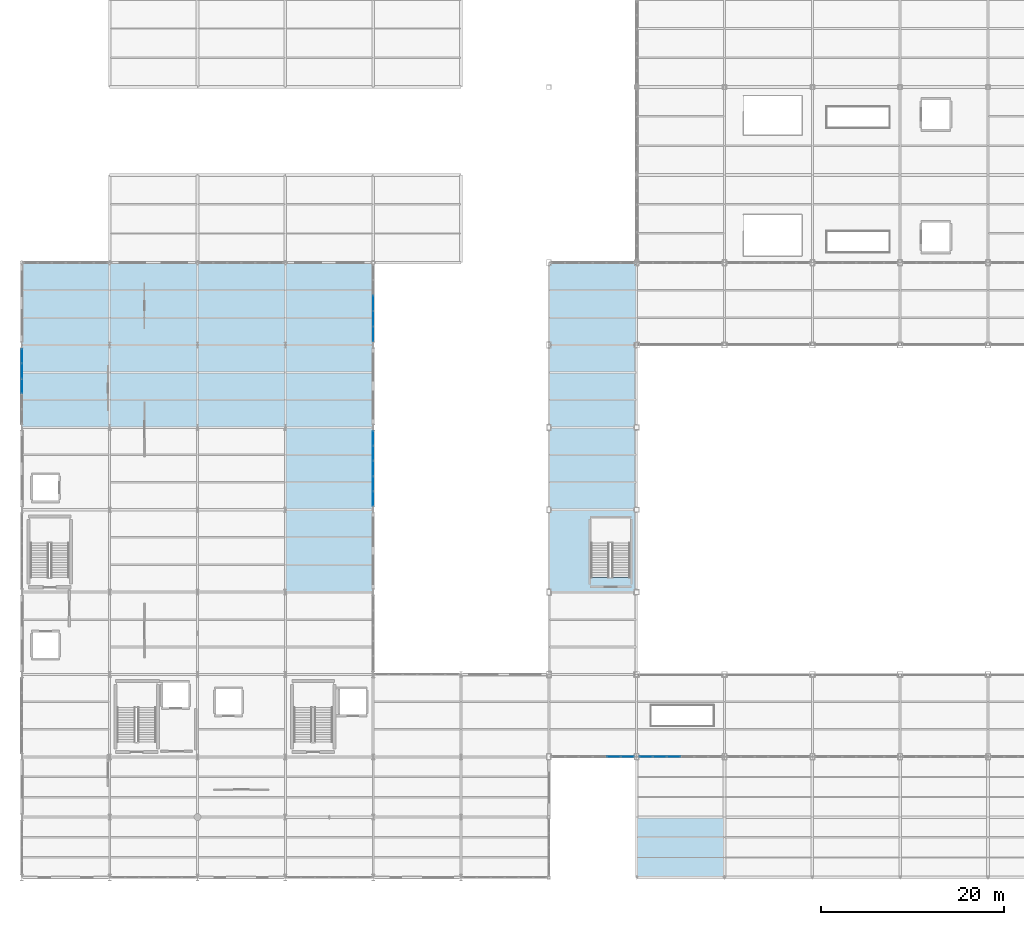
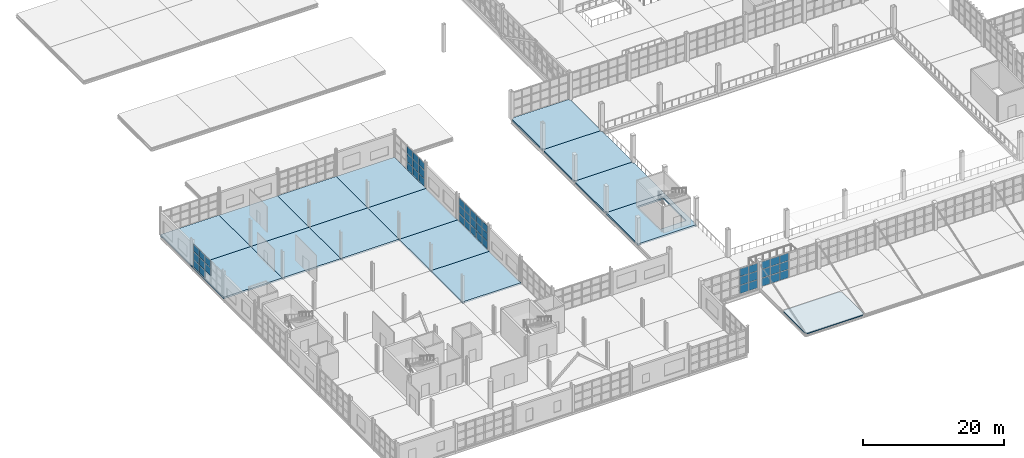
# One storey, part 76 of 120: 47 plates, 15 slabs, 5 elements without a shape of their own.
"""IFC4 building model written with IfcOpenShell, lengths in metres."""

from ifc_helpers import new_model, si_unit, direction, frame, origin, origin_2d, place, context, subcontext, project, spatial, polyline, rectangle, outline, extrude, material, layer, layer_set, type_object, element, aggregate, save


model = new_model("IFC4")

# Units and contexts
model_context = context("Model", 3, precision=1e-05, world=origin(), true_north=direction((0.0, 1.0)))
body_context = subcontext(model_context, "Body", "Model", "MODEL_VIEW")
ifc_project = project(units=[si_unit("LENGTHUNIT", "METRE"), si_unit("AREAUNIT", "SQUARE_METRE"), si_unit("VOLUMEUNIT", "CUBIC_METRE"), si_unit("PLANEANGLEUNIT", "RADIAN"), si_unit("MASSUNIT", "GRAM", prefix="KILO")], contexts=[model_context])

# Site, building, storey
site_placement = place(None, origin())
site = spatial("IfcSite", under=ifc_project, at=site_placement, CompositionType="ELEMENT")
building_placement = place(site_placement, origin())
building = spatial("IfcBuilding", under=site, at=building_placement, Name="Zarnetskaya Central Station", CompositionType="ELEMENT")
storey_placement = place(building_placement, frame((0.0, 0.0, 5.39990234375)))
storey = spatial("IfcBuildingStorey", under=building, at=storey_placement, Name="L01", CompositionType="ELEMENT", Elevation=5.39990234375)

# Curtain wall, plates
ifc_material_1 = material(Name="Low-E insulated glass", Category="glass")
ifc_layer_1 = layer(ifc_material_1, 0.172119140625, Name="Low-E insulated glass", Category="glass")
ifc_layer_set_1 = layer_set([ifc_layer_1], Name="Low-E insulated glass")
curtain_wall_type_1 = type_object("IfcCurtainWallType", Name="CW-SYS-09", PredefinedType="USERDEFINED", material=ifc_layer_set_1)
curtain_wall_1_placement = place(storey_placement, origin())
curtain_wall_1 = element("IfcCurtainWall", 1, at=curtain_wall_1_placement, inside=storey, type_object=curtain_wall_type_1, Name="Curtain wall CW-L01-076", ObjectType="CURTAIN WALL", PredefinedType="USERDEFINED")
ifc_layer_2 = layer(ifc_material_1, 0.031982421875, Name="Low-E insulated glass", Category="glass")
ifc_layer_set_2 = layer_set([ifc_layer_2], Name="Low-E insulated glass")
plate_type_1 = type_object("IfcPlateType", Name="CW-PAN-32", PredefinedType="CURTAIN_PANEL", material=ifc_layer_set_2)
plate_1_placement = place(storey_placement, frame((71.24169921875, 13.199951171875, 0.080078125), z_axis=(0.0, 0.0, 1.0), x_axis=(-1.0, 0.0, 0.0)))
plate_1 = element("IfcPlate", 2, at=plate_1_placement, type_object=plate_type_1, Name="CW-07 panel 4.1", PredefinedType="CURTAIN_PANEL", context=body_context, shape_type="SweptSolid", body=[
    extrude(rectangle(XDim=1.436767578125, YDim=0.031982421875, at=origin_2d()), origin(), (0.0, 0.0, 1.0), 1.39306640625),
])
plate_2_placement = place(storey_placement, frame((71.24169921875, 13.199951171875, 1.552978515625), z_axis=(0.0, 0.0, 1.0), x_axis=(-1.0, 0.0, 0.0)))
plate_2 = element("IfcPlate", 3, at=plate_2_placement, type_object=plate_type_1, Name="CW-07 panel 4.2", PredefinedType="CURTAIN_PANEL", context=body_context, shape_type="SweptSolid", body=[
    extrude(rectangle(XDim=1.436767578125, YDim=0.031982421875, at=origin_2d()), origin(), (0.0, 0.0, 1.0), 1.43310546875),
])
plate_3_placement = place(storey_placement, frame((71.24169921875, 13.199951171875, 3.06591796875), z_axis=(0.0, 0.0, 1.0), x_axis=(-1.0, 0.0, 0.0)))
plate_3 = element("IfcPlate", 4, at=plate_3_placement, type_object=plate_type_1, Name="CW-07 panel 4.3", PredefinedType="CURTAIN_PANEL", context=body_context, shape_type="SweptSolid", body=[
    extrude(rectangle(XDim=1.436767578125, YDim=0.031982421875, at=origin_2d()), origin(), (0.0, 0.0, 1.0), 1.303955078125),
])
plate_4_placement = place(storey_placement, frame((69.72509765625, 13.199951171875, 0.080078125), z_axis=(0.0, 0.0, 1.0), x_axis=(-1.0, 0.0, 0.0)))
plate_4 = element("IfcPlate", 5, at=plate_4_placement, type_object=plate_type_1, Name="CW-07 panel 5.1", PredefinedType="CURTAIN_PANEL", context=body_context, shape_type="SweptSolid", body=[
    extrude(rectangle(XDim=1.436767578125, YDim=0.031982421875, at=origin_2d()), origin(), (0.0, 0.0, 1.0), 1.39306640625),
])
plate_5_placement = place(storey_placement, frame((69.72509765625, 13.199951171875, 1.552978515625), z_axis=(0.0, 0.0, 1.0), x_axis=(-1.0, 0.0, 0.0)))
plate_5 = element("IfcPlate", 6, at=plate_5_placement, type_object=plate_type_1, Name="CW-07 panel 5.2", PredefinedType="CURTAIN_PANEL", context=body_context, shape_type="SweptSolid", body=[
    extrude(rectangle(XDim=1.436767578125, YDim=0.031982421875, at=origin_2d()), origin(), (0.0, 0.0, 1.0), 1.43310546875),
])
plate_6_placement = place(storey_placement, frame((69.72509765625, 13.199951171875, 3.06591796875), z_axis=(0.0, 0.0, 1.0), x_axis=(-1.0, 0.0, 0.0)))
plate_6 = element("IfcPlate", 7, at=plate_6_placement, type_object=plate_type_1, Name="CW-07 panel 5.3", PredefinedType="CURTAIN_PANEL", context=body_context, shape_type="SweptSolid", body=[
    extrude(rectangle(XDim=1.436767578125, YDim=0.031982421875, at=origin_2d()), origin(), (0.0, 0.0, 1.0), 1.303955078125),
])
plate_7_placement = place(storey_placement, frame((68.228271484375, 13.199951171875, 0.080078125), z_axis=(0.0, 0.0, 1.0), x_axis=(-1.0, 0.0, 0.0)))
plate_7 = element("IfcPlate", 8, at=plate_7_placement, type_object=plate_type_1, Name="CW-07 panel 6.1", PredefinedType="CURTAIN_PANEL", context=body_context, shape_type="SweptSolid", body=[
    extrude(rectangle(XDim=1.396728515625, YDim=0.031982421875, at=origin_2d()), origin(), (0.0, 0.0, 1.0), 1.39306640625),
])
plate_8_placement = place(storey_placement, frame((68.228271484375, 13.199951171875, 1.552978515625), z_axis=(0.0, 0.0, 1.0), x_axis=(-1.0, 0.0, 0.0)))
plate_8 = element("IfcPlate", 9, at=plate_8_placement, type_object=plate_type_1, Name="CW-07 panel 6.2", PredefinedType="CURTAIN_PANEL", context=body_context, shape_type="SweptSolid", body=[
    extrude(rectangle(XDim=1.396728515625, YDim=0.031982421875, at=origin_2d()), origin(), (0.0, 0.0, 1.0), 1.43310546875),
])
plate_9_placement = place(storey_placement, frame((68.228271484375, 13.199951171875, 3.06591796875), z_axis=(0.0, 0.0, 1.0), x_axis=(-1.0, 0.0, 0.0)))
plate_9 = element("IfcPlate", 10, at=plate_9_placement, type_object=plate_type_1, Name="CW-07 panel 6.3", PredefinedType="CURTAIN_PANEL", context=body_context, shape_type="SweptSolid", body=[
    extrude(rectangle(XDim=1.396728515625, YDim=0.031982421875, at=origin_2d()), origin(), (0.0, 0.0, 1.0), 1.303955078125),
])
aggregate(curtain_wall_1, [plate_1, plate_2, plate_3, plate_4, plate_5, plate_6, plate_7, plate_8, plate_9])

ifc_layer_3 = layer(ifc_material_1, 0.16796875, Name="Low-E insulated glass", Category="glass")
ifc_layer_set_3 = layer_set([ifc_layer_3], Name="Low-E insulated glass")
curtain_wall_type_2 = type_object("IfcCurtainWallType", Name="CW-SYS-03", PredefinedType="USERDEFINED", material=ifc_layer_set_3)
curtain_wall_2_placement = place(storey_placement, origin())
curtain_wall_2 = element("IfcCurtainWall", 11, at=curtain_wall_2_placement, inside=storey, type_object=curtain_wall_type_2, Name="Curtain wall CW-L01-007", ObjectType="CURTAIN WALL", PredefinedType="USERDEFINED")
ifc_layer_4 = layer(ifc_material_1, 0.035888671875, Name="Low-E insulated glass", Category="glass")
ifc_layer_set_4 = layer_set([ifc_layer_4], Name="Low-E insulated glass")
plate_type_2 = type_object("IfcPlateType", Name="CW-PAN-36", PredefinedType="CURTAIN_PANEL", material=ifc_layer_set_4)
plate_10_placement = place(storey_placement, frame((38.39990234375, 62.7734375, 0.0703125), z_axis=(0.0, 0.0, 1.0), x_axis=(0.0, -1.0, 0.0)))
plate_10 = element("IfcPlate", 12, at=plate_10_placement, type_object=plate_type_2, Name="CW-12 panel 3.1", PredefinedType="CURTAIN_PANEL", context=body_context, shape_type="SweptSolid", body=[
    extrude(rectangle(XDim=1.619384765625, YDim=0.035888671875, at=origin_2d()), origin(), (0.0, 0.0, 1.0), 1.322998046875),
])
plate_11_placement = place(storey_placement, frame((38.39990234375, 62.7734375, 1.463134765625), z_axis=(0.0, 0.0, 1.0), x_axis=(0.0, -1.0, 0.0)))
plate_11 = element("IfcPlate", 13, at=plate_11_placement, type_object=plate_type_2, Name="CW-12 panel 3.2", PredefinedType="CURTAIN_PANEL", context=body_context, shape_type="SweptSolid", body=[
    extrude(rectangle(XDim=1.619384765625, YDim=0.035888671875, at=origin_2d()), origin(), (0.0, 0.0, 1.0), 1.35791015625),
])
plate_12_placement = place(storey_placement, frame((38.39990234375, 62.7734375, 2.89111328125), z_axis=(0.0, 0.0, 1.0), x_axis=(0.0, -1.0, 0.0)))
plate_12 = element("IfcPlate", 14, at=plate_12_placement, type_object=plate_type_2, Name="CW-12 panel 3.3", PredefinedType="CURTAIN_PANEL", context=body_context, shape_type="SweptSolid", body=[
    extrude(rectangle(XDim=1.619384765625, YDim=0.035888671875, at=origin_2d()), origin(), (0.0, 0.0, 1.0), 1.239013671875),
])
plate_13_placement = place(storey_placement, frame((38.39990234375, 61.083984375, 0.0703125), z_axis=(0.0, 0.0, 1.0), x_axis=(0.0, -1.0, 0.0)))
plate_13 = element("IfcPlate", 15, at=plate_13_placement, type_object=plate_type_2, Name="CW-12 panel 4.1", PredefinedType="CURTAIN_PANEL", context=body_context, shape_type="SweptSolid", body=[
    extrude(rectangle(XDim=1.619384765625, YDim=0.035888671875, at=origin_2d()), origin(), (0.0, 0.0, 1.0), 1.322998046875),
])
plate_14_placement = place(storey_placement, frame((38.39990234375, 61.083984375, 1.463134765625), z_axis=(0.0, 0.0, 1.0), x_axis=(0.0, -1.0, 0.0)))
plate_14 = element("IfcPlate", 16, at=plate_14_placement, type_object=plate_type_2, Name="CW-12 panel 4.2", PredefinedType="CURTAIN_PANEL", context=body_context, shape_type="SweptSolid", body=[
    extrude(rectangle(XDim=1.619384765625, YDim=0.035888671875, at=origin_2d()), origin(), (0.0, 0.0, 1.0), 1.35791015625),
])
plate_15_placement = place(storey_placement, frame((38.39990234375, 61.083984375, 2.89111328125), z_axis=(0.0, 0.0, 1.0), x_axis=(0.0, -1.0, 0.0)))
plate_15 = element("IfcPlate", 17, at=plate_15_placement, type_object=plate_type_2, Name="CW-12 panel 4.3", PredefinedType="CURTAIN_PANEL", context=body_context, shape_type="SweptSolid", body=[
    extrude(rectangle(XDim=1.619384765625, YDim=0.035888671875, at=origin_2d()), origin(), (0.0, 0.0, 1.0), 1.239013671875),
])
plate_16_placement = place(storey_placement, frame((38.39990234375, 59.412109375, 0.0703125), z_axis=(0.0, 0.0, 1.0), x_axis=(0.0, -1.0, 0.0)))
plate_16 = element("IfcPlate", 18, at=plate_16_placement, type_object=plate_type_2, Name="CW-12 panel 5.1", PredefinedType="CURTAIN_PANEL", context=body_context, shape_type="SweptSolid", body=[
    extrude(rectangle(XDim=1.58447265625, YDim=0.035888671875, at=origin_2d()), origin(), (0.0, 0.0, 1.0), 1.322998046875),
])
plate_17_placement = place(storey_placement, frame((38.39990234375, 59.412109375, 1.463134765625), z_axis=(0.0, 0.0, 1.0), x_axis=(0.0, -1.0, 0.0)))
plate_17 = element("IfcPlate", 19, at=plate_17_placement, type_object=plate_type_2, Name="CW-12 panel 5.2", PredefinedType="CURTAIN_PANEL", context=body_context, shape_type="SweptSolid", body=[
    extrude(rectangle(XDim=1.58447265625, YDim=0.035888671875, at=origin_2d()), origin(), (0.0, 0.0, 1.0), 1.35791015625),
])
plate_18_placement = place(storey_placement, frame((38.39990234375, 59.412109375, 2.89111328125), z_axis=(0.0, 0.0, 1.0), x_axis=(0.0, -1.0, 0.0)))
plate_18 = element("IfcPlate", 20, at=plate_18_placement, type_object=plate_type_2, Name="CW-12 panel 5.3", PredefinedType="CURTAIN_PANEL", context=body_context, shape_type="SweptSolid", body=[
    extrude(rectangle(XDim=1.58447265625, YDim=0.035888671875, at=origin_2d()), origin(), (0.0, 0.0, 1.0), 1.239013671875),
])
aggregate(curtain_wall_2, [plate_10, plate_11, plate_12, plate_13, plate_14, plate_15, plate_16, plate_17, plate_18])

ifc_layer_5 = layer(ifc_material_1, 0.176025390625, Name="Low-E insulated glass", Category="glass")
ifc_layer_set_5 = layer_set([ifc_layer_5], Name="Low-E insulated glass")
curtain_wall_type_3 = type_object("IfcCurtainWallType", Name="CW-SYS-05", PredefinedType="USERDEFINED", material=ifc_layer_set_5)
curtain_wall_3_placement = place(storey_placement, origin())
curtain_wall_3 = element("IfcCurtainWall", 21, at=curtain_wall_3_placement, inside=storey, type_object=curtain_wall_type_3, Name="Curtain wall CW-L01-008", ObjectType="CURTAIN WALL", PredefinedType="USERDEFINED")
ifc_layer_6 = layer(ifc_material_1, 0.0400390625, Name="Low-E insulated glass", Category="glass")
ifc_layer_set_6 = layer_set([ifc_layer_6], Name="Low-E insulated glass")
plate_type_3 = type_object("IfcPlateType", Name="CW-PAN-40", PredefinedType="CURTAIN_PANEL", material=ifc_layer_set_6)
plate_19_placement = place(storey_placement, frame((38.39990234375, 48.0, 0.080078125), z_axis=(0.0, 0.0, 1.0), x_axis=(0.0, -1.0, 0.0)))
plate_19 = element("IfcPlate", 22, at=plate_19_placement, type_object=plate_type_3, Name="CW-14 panel 1.1", PredefinedType="CURTAIN_PANEL", context=body_context, shape_type="SweptSolid", body=[
    extrude(rectangle(XDim=1.5400390625, YDim=0.0400390625, at=origin_2d()), origin(), (0.0, 0.0, 1.0), 1.30810546875),
])
plate_20_placement = place(storey_placement, frame((38.39990234375, 48.0, 1.46826171875), z_axis=(0.0, 0.0, 1.0), x_axis=(0.0, -1.0, 0.0)))
plate_20 = element("IfcPlate", 23, at=plate_20_placement, type_object=plate_type_3, Name="CW-14 panel 1.2", PredefinedType="CURTAIN_PANEL", context=body_context, shape_type="SweptSolid", body=[
    extrude(rectangle(XDim=1.5400390625, YDim=0.0400390625, at=origin_2d()), origin(), (0.0, 0.0, 1.0), 1.347900390625),
])
plate_21_placement = place(storey_placement, frame((38.39990234375, 48.0, 2.89599609375), z_axis=(0.0, 0.0, 1.0), x_axis=(0.0, -1.0, 0.0)))
plate_21 = element("IfcPlate", 24, at=plate_21_placement, type_object=plate_type_3, Name="CW-14 panel 1.3", PredefinedType="CURTAIN_PANEL", context=body_context, shape_type="SweptSolid", body=[
    extrude(rectangle(XDim=1.5400390625, YDim=0.0400390625, at=origin_2d()), origin(), (0.0, 0.0, 1.0), 1.22412109375),
])
plate_22_placement = place(storey_placement, frame((38.39990234375, 46.360107421875, 0.080078125), z_axis=(0.0, 0.0, 1.0), x_axis=(0.0, -1.0, 0.0)))
plate_22 = element("IfcPlate", 25, at=plate_22_placement, type_object=plate_type_3, Name="CW-14 panel 2.1", PredefinedType="CURTAIN_PANEL", context=body_context, shape_type="SweptSolid", body=[
    extrude(rectangle(XDim=1.580078125, YDim=0.0400390625, at=origin_2d()), origin(), (0.0, 0.0, 1.0), 1.30810546875),
])
plate_23_placement = place(storey_placement, frame((38.39990234375, 46.360107421875, 1.46826171875), z_axis=(0.0, 0.0, 1.0), x_axis=(0.0, -1.0, 0.0)))
plate_23 = element("IfcPlate", 26, at=plate_23_placement, type_object=plate_type_3, Name="CW-14 panel 2.2", PredefinedType="CURTAIN_PANEL", context=body_context, shape_type="SweptSolid", body=[
    extrude(rectangle(XDim=1.580078125, YDim=0.0400390625, at=origin_2d()), origin(), (0.0, 0.0, 1.0), 1.347900390625),
])
plate_24_placement = place(storey_placement, frame((38.39990234375, 46.360107421875, 2.89599609375), z_axis=(0.0, 0.0, 1.0), x_axis=(0.0, -1.0, 0.0)))
plate_24 = element("IfcPlate", 27, at=plate_24_placement, type_object=plate_type_3, Name="CW-14 panel 2.3", PredefinedType="CURTAIN_PANEL", context=body_context, shape_type="SweptSolid", body=[
    extrude(rectangle(XDim=1.580078125, YDim=0.0400390625, at=origin_2d()), origin(), (0.0, 0.0, 1.0), 1.22412109375),
])
plate_25_placement = place(storey_placement, frame((38.39990234375, 44.699951171875, 0.080078125), z_axis=(0.0, 0.0, 1.0), x_axis=(0.0, -1.0, 0.0)))
plate_25 = element("IfcPlate", 28, at=plate_25_placement, type_object=plate_type_3, Name="CW-14 panel 3.1", PredefinedType="CURTAIN_PANEL", context=body_context, shape_type="SweptSolid", body=[
    extrude(rectangle(XDim=1.580078125, YDim=0.0400390625, at=origin_2d()), origin(), (0.0, 0.0, 1.0), 1.30810546875),
])
plate_26_placement = place(storey_placement, frame((38.39990234375, 44.699951171875, 1.46826171875), z_axis=(0.0, 0.0, 1.0), x_axis=(0.0, -1.0, 0.0)))
plate_26 = element("IfcPlate", 29, at=plate_26_placement, type_object=plate_type_3, Name="CW-14 panel 3.2", PredefinedType="CURTAIN_PANEL", context=body_context, shape_type="SweptSolid", body=[
    extrude(rectangle(XDim=1.580078125, YDim=0.0400390625, at=origin_2d()), origin(), (0.0, 0.0, 1.0), 1.347900390625),
])
plate_27_placement = place(storey_placement, frame((38.39990234375, 44.699951171875, 2.89599609375), z_axis=(0.0, 0.0, 1.0), x_axis=(0.0, -1.0, 0.0)))
plate_27 = element("IfcPlate", 30, at=plate_27_placement, type_object=plate_type_3, Name="CW-14 panel 3.3", PredefinedType="CURTAIN_PANEL", context=body_context, shape_type="SweptSolid", body=[
    extrude(rectangle(XDim=1.580078125, YDim=0.0400390625, at=origin_2d()), origin(), (0.0, 0.0, 1.0), 1.22412109375),
])
plate_28_placement = place(storey_placement, frame((38.39990234375, 43.0400390625, 0.080078125), z_axis=(0.0, 0.0, 1.0), x_axis=(0.0, -1.0, 0.0)))
plate_28 = element("IfcPlate", 31, at=plate_28_placement, type_object=plate_type_3, Name="CW-14 panel 4.1", PredefinedType="CURTAIN_PANEL", context=body_context, shape_type="SweptSolid", body=[
    extrude(rectangle(XDim=1.580078125, YDim=0.0400390625, at=origin_2d()), origin(), (0.0, 0.0, 1.0), 1.30810546875),
])
plate_29_placement = place(storey_placement, frame((38.39990234375, 43.0400390625, 1.46826171875), z_axis=(0.0, 0.0, 1.0), x_axis=(0.0, -1.0, 0.0)))
plate_29 = element("IfcPlate", 32, at=plate_29_placement, type_object=plate_type_3, Name="CW-14 panel 4.2", PredefinedType="CURTAIN_PANEL", context=body_context, shape_type="SweptSolid", body=[
    extrude(rectangle(XDim=1.580078125, YDim=0.0400390625, at=origin_2d()), origin(), (0.0, 0.0, 1.0), 1.347900390625),
])
plate_30_placement = place(storey_placement, frame((38.39990234375, 43.0400390625, 2.89599609375), z_axis=(0.0, 0.0, 1.0), x_axis=(0.0, -1.0, 0.0)))
plate_30 = element("IfcPlate", 33, at=plate_30_placement, type_object=plate_type_3, Name="CW-14 panel 4.3", PredefinedType="CURTAIN_PANEL", context=body_context, shape_type="SweptSolid", body=[
    extrude(rectangle(XDim=1.580078125, YDim=0.0400390625, at=origin_2d()), origin(), (0.0, 0.0, 1.0), 1.22412109375),
])
plate_31_placement = place(storey_placement, frame((38.39990234375, 41.39990234375, 0.080078125), z_axis=(0.0, 0.0, 1.0), x_axis=(0.0, -1.0, 0.0)))
plate_31 = element("IfcPlate", 34, at=plate_31_placement, type_object=plate_type_3, Name="CW-14 panel 5.1", PredefinedType="CURTAIN_PANEL", context=body_context, shape_type="SweptSolid", body=[
    extrude(rectangle(XDim=1.5400390625, YDim=0.0400390625, at=origin_2d()), origin(), (0.0, 0.0, 1.0), 1.30810546875),
])
plate_32_placement = place(storey_placement, frame((38.39990234375, 41.39990234375, 1.46826171875), z_axis=(0.0, 0.0, 1.0), x_axis=(0.0, -1.0, 0.0)))
plate_32 = element("IfcPlate", 35, at=plate_32_placement, type_object=plate_type_3, Name="CW-14 panel 5.2", PredefinedType="CURTAIN_PANEL", context=body_context, shape_type="SweptSolid", body=[
    extrude(rectangle(XDim=1.5400390625, YDim=0.0400390625, at=origin_2d()), origin(), (0.0, 0.0, 1.0), 1.347900390625),
])
plate_33_placement = place(storey_placement, frame((38.39990234375, 41.39990234375, 2.89599609375), z_axis=(0.0, 0.0, 1.0), x_axis=(0.0, -1.0, 0.0)))
plate_33 = element("IfcPlate", 36, at=plate_33_placement, type_object=plate_type_3, Name="CW-14 panel 5.3", PredefinedType="CURTAIN_PANEL", context=body_context, shape_type="SweptSolid", body=[
    extrude(rectangle(XDim=1.5400390625, YDim=0.0400390625, at=origin_2d()), origin(), (0.0, 0.0, 1.0), 1.22412109375),
])
aggregate(curtain_wall_3, [plate_19, plate_20, plate_21, plate_22, plate_23, plate_24, plate_25, plate_26, plate_27, plate_28, plate_29, plate_30, plate_31, plate_32, plate_33])

curtain_wall_4_placement = place(storey_placement, origin())
curtain_wall_4 = element("IfcCurtainWall", 37, at=curtain_wall_4_placement, inside=storey, type_object=curtain_wall_type_1, Name="Curtain wall CW-L01-004", ObjectType="CURTAIN WALL", PredefinedType="USERDEFINED")
ifc_layer_7 = layer(ifc_material_1, 0.0439453125, Name="Low-E insulated glass", Category="glass")
ifc_layer_set_7 = layer_set([ifc_layer_7], Name="Low-E insulated glass")
plate_type_4 = type_object("IfcPlateType", Name="CW-PAN-44", PredefinedType="CURTAIN_PANEL", material=ifc_layer_set_7)
plate_34_placement = place(storey_placement, frame((0.0, 53.699951171875, 1.4482421875), z_axis=(0.0, 0.0, 1.0), x_axis=(0.0, 1.0, 0.0)))
plate_34 = element("IfcPlate", 38, at=plate_34_placement, type_object=plate_type_4, Name="CW-07 panel 3.2", PredefinedType="CURTAIN_PANEL", context=body_context, shape_type="SweptSolid", body=[
    extrude(rectangle(XDim=1.580078125, YDim=0.0439453125, at=origin_2d()), origin(), (0.0, 0.0, 1.0), 1.326904296875),
])
plate_35_placement = place(storey_placement, frame((0.0, 53.699951171875, 2.85498046875), z_axis=(0.0, 0.0, 1.0), x_axis=(0.0, 1.0, 0.0)))
plate_35 = element("IfcPlate", 39, at=plate_35_placement, type_object=plate_type_4, Name="CW-07 panel 3.3", PredefinedType="CURTAIN_PANEL", context=body_context, shape_type="SweptSolid", body=[
    extrude(rectangle(XDim=1.580078125, YDim=0.0439453125, at=origin_2d()), origin(), (0.0, 0.0, 1.0), 1.205078125),
])
plate_36_placement = place(storey_placement, frame((0.0, 55.360107421875, 0.080078125), z_axis=(0.0, 0.0, 1.0), x_axis=(0.0, 1.0, 0.0)))
plate_36 = element("IfcPlate", 40, at=plate_36_placement, type_object=plate_type_4, Name="CW-07 panel 4.1", PredefinedType="CURTAIN_PANEL", context=body_context, shape_type="SweptSolid", body=[
    extrude(rectangle(XDim=1.580078125, YDim=0.0439453125, at=origin_2d()), origin(), (0.0, 0.0, 1.0), 1.2880859375),
])
plate_37_placement = place(storey_placement, frame((0.0, 55.360107421875, 1.4482421875), z_axis=(0.0, 0.0, 1.0), x_axis=(0.0, 1.0, 0.0)))
plate_37 = element("IfcPlate", 41, at=plate_37_placement, type_object=plate_type_4, Name="CW-07 panel 4.2", PredefinedType="CURTAIN_PANEL", context=body_context, shape_type="SweptSolid", body=[
    extrude(rectangle(XDim=1.580078125, YDim=0.0439453125, at=origin_2d()), origin(), (0.0, 0.0, 1.0), 1.326904296875),
])
plate_38_placement = place(storey_placement, frame((0.0, 55.360107421875, 2.85498046875), z_axis=(0.0, 0.0, 1.0), x_axis=(0.0, 1.0, 0.0)))
plate_38 = element("IfcPlate", 42, at=plate_38_placement, type_object=plate_type_4, Name="CW-07 panel 4.3", PredefinedType="CURTAIN_PANEL", context=body_context, shape_type="SweptSolid", body=[
    extrude(rectangle(XDim=1.580078125, YDim=0.0439453125, at=origin_2d()), origin(), (0.0, 0.0, 1.0), 1.205078125),
])
plate_39_placement = place(storey_placement, frame((0.0, 57.0, 0.080078125), z_axis=(0.0, 0.0, 1.0), x_axis=(0.0, 1.0, 0.0)))
plate_39 = element("IfcPlate", 43, at=plate_39_placement, type_object=plate_type_4, Name="CW-07 panel 5.1", PredefinedType="CURTAIN_PANEL", context=body_context, shape_type="SweptSolid", body=[
    extrude(rectangle(XDim=1.5400390625, YDim=0.0439453125, at=origin_2d()), origin(), (0.0, 0.0, 1.0), 1.2880859375),
])
plate_40_placement = place(storey_placement, frame((0.0, 57.0, 1.4482421875), z_axis=(0.0, 0.0, 1.0), x_axis=(0.0, 1.0, 0.0)))
plate_40 = element("IfcPlate", 44, at=plate_40_placement, type_object=plate_type_4, Name="CW-07 panel 5.2", PredefinedType="CURTAIN_PANEL", context=body_context, shape_type="SweptSolid", body=[
    extrude(rectangle(XDim=1.5400390625, YDim=0.0439453125, at=origin_2d()), origin(), (0.0, 0.0, 1.0), 1.326904296875),
])
plate_41_placement = place(storey_placement, frame((0.0, 57.0, 2.85498046875), z_axis=(0.0, 0.0, 1.0), x_axis=(0.0, 1.0, 0.0)))
plate_41 = element("IfcPlate", 45, at=plate_41_placement, type_object=plate_type_4, Name="CW-07 panel 5.3", PredefinedType="CURTAIN_PANEL", context=body_context, shape_type="SweptSolid", body=[
    extrude(rectangle(XDim=1.5400390625, YDim=0.0439453125, at=origin_2d()), origin(), (0.0, 0.0, 1.0), 1.205078125),
])
aggregate(curtain_wall_4, [plate_34, plate_35, plate_36, plate_37, plate_38, plate_39, plate_40, plate_41])

ifc_layer_8 = layer(ifc_material_1, 0.16796875, Name="Low-E insulated glass", Category="glass")
ifc_layer_set_8 = layer_set([ifc_layer_8], Name="Low-E insulated glass")
curtain_wall_type_4 = type_object("IfcCurtainWallType", Name="CW-SYS-08", PredefinedType="USERDEFINED", material=ifc_layer_set_8)
curtain_wall_5_placement = place(storey_placement, origin())
curtain_wall_5 = element("IfcCurtainWall", 46, at=curtain_wall_5_placement, inside=storey, type_object=curtain_wall_type_4, Name="Curtain wall CW-L01-074", ObjectType="CURTAIN WALL", PredefinedType="USERDEFINED")
plate_42_placement = place(storey_placement, frame((66.171630859375, 13.199951171875, 0.080078125), z_axis=(0.0, 0.0, 1.0), x_axis=(-1.0, 0.0, 0.0)))
plate_42 = element("IfcPlate", 47, at=plate_42_placement, type_object=plate_type_4, Name="CW-16 panel 1.1", PredefinedType="CURTAIN_PANEL", context=body_context, shape_type="SweptSolid", body=[
    extrude(rectangle(XDim=1.396728515625, YDim=0.0439453125, at=origin_2d()), origin(), (0.0, 0.0, 1.0), 1.39306640625),
])
plate_43_placement = place(storey_placement, frame((66.171630859375, 13.199951171875, 1.552978515625), z_axis=(0.0, 0.0, 1.0), x_axis=(-1.0, 0.0, 0.0)))
plate_43 = element("IfcPlate", 48, at=plate_43_placement, type_object=plate_type_4, Name="CW-16 panel 1.2", PredefinedType="CURTAIN_PANEL", context=body_context, shape_type="SweptSolid", body=[
    extrude(rectangle(XDim=1.396728515625, YDim=0.0439453125, at=origin_2d()), origin(), (0.0, 0.0, 1.0), 1.43310546875),
])
plate_44_placement = place(storey_placement, frame((66.171630859375, 13.199951171875, 3.06591796875), z_axis=(0.0, 0.0, 1.0), x_axis=(-1.0, 0.0, 0.0)))
plate_44 = element("IfcPlate", 49, at=plate_44_placement, type_object=plate_type_4, Name="CW-16 panel 1.3", PredefinedType="CURTAIN_PANEL", context=body_context, shape_type="SweptSolid", body=[
    extrude(rectangle(XDim=1.396728515625, YDim=0.0439453125, at=origin_2d()), origin(), (0.0, 0.0, 1.0), 1.303955078125),
])
plate_45_placement = place(storey_placement, frame((64.675048828125, 13.199951171875, 0.080078125), z_axis=(0.0, 0.0, 1.0), x_axis=(-1.0, 0.0, 0.0)))
plate_45 = element("IfcPlate", 50, at=plate_45_placement, type_object=plate_type_4, Name="CW-16 panel 2.1", PredefinedType="CURTAIN_PANEL", context=body_context, shape_type="SweptSolid", body=[
    extrude(rectangle(XDim=1.436767578125, YDim=0.0439453125, at=origin_2d()), origin(), (0.0, 0.0, 1.0), 1.39306640625),
])
plate_46_placement = place(storey_placement, frame((64.675048828125, 13.199951171875, 1.552978515625), z_axis=(0.0, 0.0, 1.0), x_axis=(-1.0, 0.0, 0.0)))
plate_46 = element("IfcPlate", 51, at=plate_46_placement, type_object=plate_type_4, Name="CW-16 panel 2.2", PredefinedType="CURTAIN_PANEL", context=body_context, shape_type="SweptSolid", body=[
    extrude(rectangle(XDim=1.436767578125, YDim=0.0439453125, at=origin_2d()), origin(), (0.0, 0.0, 1.0), 1.43310546875),
])
plate_47_placement = place(storey_placement, frame((64.675048828125, 13.199951171875, 3.06591796875), z_axis=(0.0, 0.0, 1.0), x_axis=(-1.0, 0.0, 0.0)))
plate_47 = element("IfcPlate", 52, at=plate_47_placement, type_object=plate_type_4, Name="CW-16 panel 2.3", PredefinedType="CURTAIN_PANEL", context=body_context, shape_type="SweptSolid", body=[
    extrude(rectangle(XDim=1.436767578125, YDim=0.0439453125, at=origin_2d()), origin(), (0.0, 0.0, 1.0), 1.303955078125),
])
aggregate(curtain_wall_5, [plate_42, plate_43, plate_44, plate_45, plate_46, plate_47])

# Slabs
ifc_material_2 = material(Name="Concrete C30/37", Category="concrete")
ifc_layer_9 = layer(ifc_material_2, 0.159912109375, Name="Concrete C30/37", Category="concrete")
ifc_layer_set_9 = layer_set([ifc_layer_9], Name="Concrete C30/37")
slab_type_1 = type_object("IfcSlabType", Name="ROOF-CANOPY-160", PredefinedType="ROOF", material=ifc_layer_set_9)
slab_1_placement = place(storey_placement, frame((0.0, 0.0, -0.159912109375)))
element("IfcSlab", 53, at=slab_1_placement, inside=storey, type_object=slab_type_1, Name="Forecourt canopy deck H-J/1-2", PredefinedType="ROOF", context=body_context, shape_type="SweptSolid", body=[
    extrude(outline(polyline([(67.47998046875, 0.0), (76.52001953125, 0.0), (76.800048828125, 0.280029296875), (76.800048828125, 6.320068359375), (76.52001953125, 6.60009765625), (67.47998046875, 6.60009765625), (67.199951171875, 6.320068359375), (67.199951171875, 0.280029296875), (67.47998046875, 0.0)])), origin(), (0.0, 0.0, 1.0), 0.159912109375),
])
ifc_layer_10 = layer(ifc_material_2, 0.280029296875, Name="Concrete C30/37", Category="concrete")
ifc_layer_set_10 = layer_set([ifc_layer_10], Name="Concrete C30/37")
slab_type_2 = type_object("IfcSlabType", Name="SLAB-BRG-280", PredefinedType="FLOOR", material=ifc_layer_set_10)
slab_2_placement = place(storey_placement, frame((0.0, 0.0, -0.27978515625)))
element("IfcSlab", 54, at=slab_2_placement, inside=storey, type_object=slab_type_2, Name="L01 slab A-B/7-8", PredefinedType="FLOOR", context=body_context, shape_type="SweptSolid", body=[
    extrude(outline(polyline([(0.0, 49.199951171875), (9.60009765625, 49.199951171875), (9.60009765625, 58.199951171875), (0.0, 58.199951171875), (0.0, 49.199951171875)])), origin(), (0.0, 0.0, 1.0), 0.27978515625),
])
slab_3_placement = place(storey_placement, frame((0.0, 0.0, -0.27978515625)))
element("IfcSlab", 55, at=slab_3_placement, inside=storey, type_object=slab_type_2, Name="L01 slab A-B/8-9", PredefinedType="FLOOR", context=body_context, shape_type="SweptSolid", body=[
    extrude(outline(polyline([(0.0, 58.199951171875), (9.60009765625, 58.199951171875), (9.60009765625, 67.199951171875), (0.0, 67.199951171875), (0.0, 58.199951171875)])), origin(), (0.0, 0.0, 1.0), 0.27978515625),
])
slab_4_placement = place(storey_placement, frame((0.0, 0.0, -0.27978515625)))
element("IfcSlab", 56, at=slab_4_placement, inside=storey, type_object=slab_type_2, Name="L01 slab B-C/7-8", PredefinedType="FLOOR", context=body_context, shape_type="SweptSolid", body=[
    extrude(outline(polyline([(9.60009765625, 49.199951171875), (19.199951171875, 49.199951171875), (19.199951171875, 58.199951171875), (9.60009765625, 58.199951171875), (9.60009765625, 49.199951171875)])), origin(), (0.0, 0.0, 1.0), 0.27978515625),
])
slab_5_placement = place(storey_placement, frame((0.0, 0.0, -0.27978515625)))
element("IfcSlab", 57, at=slab_5_placement, inside=storey, type_object=slab_type_2, Name="L01 slab B-C/8-9", PredefinedType="FLOOR", context=body_context, shape_type="SweptSolid", body=[
    extrude(outline(polyline([(9.60009765625, 58.199951171875), (19.199951171875, 58.199951171875), (19.199951171875, 67.199951171875), (9.60009765625, 67.199951171875), (9.60009765625, 58.199951171875)])), origin(), (0.0, 0.0, 1.0), 0.27978515625),
])
slab_6_placement = place(storey_placement, frame((0.0, 0.0, -0.27978515625)))
element("IfcSlab", 58, at=slab_6_placement, inside=storey, type_object=slab_type_2, Name="L01 slab C-D/7-8", PredefinedType="FLOOR", context=body_context, shape_type="SweptSolid", body=[
    extrude(outline(polyline([(19.199951171875, 49.199951171875), (28.800048828125, 49.199951171875), (28.800048828125, 58.199951171875), (19.199951171875, 58.199951171875), (19.199951171875, 49.199951171875)])), origin(), (0.0, 0.0, 1.0), 0.27978515625),
])
slab_7_placement = place(storey_placement, frame((0.0, 0.0, -0.27978515625)))
element("IfcSlab", 59, at=slab_7_placement, inside=storey, type_object=slab_type_2, Name="L01 slab C-D/8-9", PredefinedType="FLOOR", context=body_context, shape_type="SweptSolid", body=[
    extrude(outline(polyline([(19.199951171875, 58.199951171875), (28.800048828125, 58.199951171875), (28.800048828125, 67.199951171875), (19.199951171875, 67.199951171875), (19.199951171875, 58.199951171875)])), origin(), (0.0, 0.0, 1.0), 0.27978515625),
])
slab_8_placement = place(storey_placement, frame((0.0, 0.0, -0.27978515625)))
element("IfcSlab", 60, at=slab_8_placement, inside=storey, type_object=slab_type_2, Name="L01 slab D-E/5-6", PredefinedType="FLOOR", context=body_context, shape_type="SweptSolid", body=[
    extrude(outline(polyline([(28.800048828125, 31.199951171875), (38.39990234375, 31.199951171875), (38.39990234375, 40.199951171875), (28.800048828125, 40.199951171875), (28.800048828125, 31.199951171875)])), origin(), (0.0, 0.0, 1.0), 0.27978515625),
])
slab_9_placement = place(storey_placement, frame((0.0, 0.0, -0.27978515625)))
element("IfcSlab", 61, at=slab_9_placement, inside=storey, type_object=slab_type_2, Name="L01 slab D-E/6-7", PredefinedType="FLOOR", context=body_context, shape_type="SweptSolid", body=[
    extrude(outline(polyline([(28.800048828125, 40.199951171875), (38.39990234375, 40.199951171875), (38.39990234375, 49.199951171875), (28.800048828125, 49.199951171875), (28.800048828125, 40.199951171875)])), origin(), (0.0, 0.0, 1.0), 0.27978515625),
])
slab_10_placement = place(storey_placement, frame((0.0, 0.0, -0.27978515625)))
element("IfcSlab", 62, at=slab_10_placement, inside=storey, type_object=slab_type_2, Name="L01 slab D-E/7-8", PredefinedType="FLOOR", context=body_context, shape_type="SweptSolid", body=[
    extrude(outline(polyline([(28.800048828125, 49.199951171875), (38.39990234375, 49.199951171875), (38.39990234375, 58.199951171875), (28.800048828125, 58.199951171875), (28.800048828125, 49.199951171875)])), origin(), (0.0, 0.0, 1.0), 0.27978515625),
])
slab_11_placement = place(storey_placement, frame((0.0, 0.0, -0.27978515625)))
element("IfcSlab", 63, at=slab_11_placement, inside=storey, type_object=slab_type_2, Name="L01 slab D-E/8-9", PredefinedType="FLOOR", context=body_context, shape_type="SweptSolid", body=[
    extrude(outline(polyline([(28.800048828125, 58.199951171875), (38.39990234375, 58.199951171875), (38.39990234375, 67.199951171875), (28.800048828125, 67.199951171875), (28.800048828125, 58.199951171875)])), origin(), (0.0, 0.0, 1.0), 0.27978515625),
])
slab_12_placement = place(storey_placement, frame((0.0, 0.0, -0.27978515625)))
element("IfcSlab", 64, at=slab_12_placement, inside=storey, type_object=slab_type_2, Name="L01 slab G-H/5-6", PredefinedType="FLOOR", context=body_context, shape_type="SweptSolid", body=[
    extrude(outline(polyline([(57.60009765625, 31.199951171875), (67.199951171875, 31.199951171875), (67.199951171875, 40.199951171875), (57.60009765625, 40.199951171875), (57.60009765625, 31.199951171875)]), holes=[polyline([(62.199951171875, 32.804931640625), (66.5, 32.804931640625), (66.5, 39.300048828125), (62.199951171875, 39.300048828125), (62.199951171875, 32.804931640625)])]), origin(), (0.0, 0.0, 1.0), 0.27978515625),
])
slab_13_placement = place(storey_placement, frame((0.0, 0.0, -0.27978515625)))
element("IfcSlab", 65, at=slab_13_placement, inside=storey, type_object=slab_type_2, Name="L01 slab G-H/6-7", PredefinedType="FLOOR", context=body_context, shape_type="SweptSolid", body=[
    extrude(outline(polyline([(57.89990234375, 40.199951171875), (66.89990234375, 40.199951171875), (67.199951171875, 40.5), (67.199951171875, 48.89990234375), (66.89990234375, 49.199951171875), (57.89990234375, 49.199951171875), (57.60009765625, 48.89990234375), (57.60009765625, 40.5), (57.89990234375, 40.199951171875)])), origin(), (0.0, 0.0, 1.0), 0.27978515625),
])
slab_14_placement = place(storey_placement, frame((0.0, 0.0, -0.27978515625)))
element("IfcSlab", 66, at=slab_14_placement, inside=storey, type_object=slab_type_2, Name="L01 slab G-H/7-8", PredefinedType="FLOOR", context=body_context, shape_type="SweptSolid", body=[
    extrude(outline(polyline([(57.89990234375, 49.199951171875), (66.89990234375, 49.199951171875), (67.199951171875, 49.5), (67.199951171875, 57.89990234375), (66.89990234375, 58.199951171875), (57.89990234375, 58.199951171875), (57.60009765625, 57.89990234375), (57.60009765625, 49.5), (57.89990234375, 49.199951171875)])), origin(), (0.0, 0.0, 1.0), 0.27978515625),
])
slab_15_placement = place(storey_placement, frame((0.0, 0.0, -0.27978515625)))
element("IfcSlab", 67, at=slab_15_placement, inside=storey, type_object=slab_type_2, Name="L01 slab G-H/8-9", PredefinedType="FLOOR", context=body_context, shape_type="SweptSolid", body=[
    extrude(outline(polyline([(57.89990234375, 58.199951171875), (66.89990234375, 58.199951171875), (67.199951171875, 58.5), (67.199951171875, 66.89990234375), (66.89990234375, 67.199951171875), (57.89990234375, 67.199951171875), (57.60009765625, 66.89990234375), (57.60009765625, 58.5), (57.89990234375, 58.199951171875)])), origin(), (0.0, 0.0, 1.0), 0.27978515625),
])

save(model, "model.ifc")
